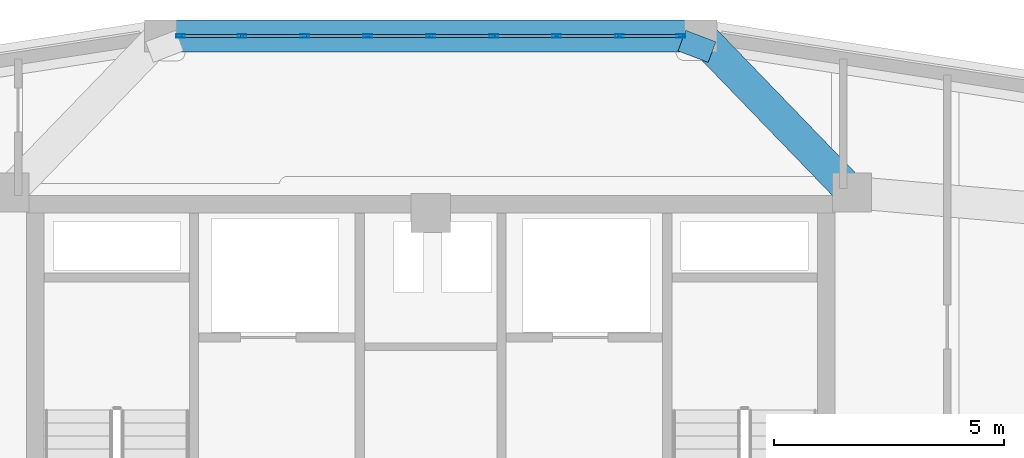
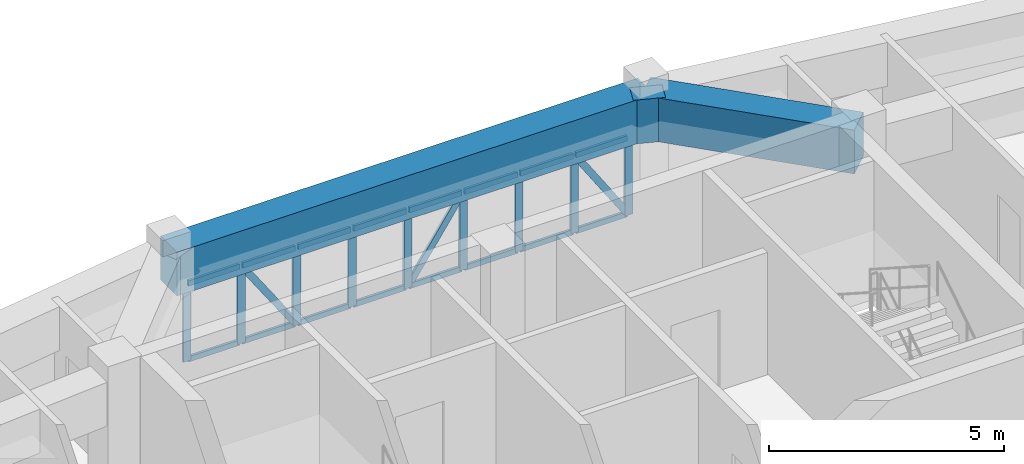
# One storey, part 9 of 14: 28 members, 3 beams, 1 element without a shape of its own.
"""IFC4 building model written with IfcOpenShell, lengths in metres."""

import ifcopenshell
import ifcopenshell.guid

model = None  # the IFC model being written
_history = None  # IfcOwnerHistory: only IFC2X3 demands one
_inside = {}  # id of a spatial element -> (the spatial element, [elements in it])
_under = {}  # id of a project, library or spatial element -> (it, [spatial elements below it])
_declared = {}  # id of a project -> (the project, [libraries it declares])
_typed = {}  # id of a type object -> (the type object, [elements of that type])
_made_of = {}  # id of a material, layer set ... -> (it, [elements and type objects made of it])


def new_model(schema):
    """Start an empty IFC model of exactly this schema.

    Asked for "IFC4X3", IfcOpenShell would pick the latest addendum, in which some entities
    have other attributes; the version numbers below select the first issue.
    IFC2X3 requires an IfcOwnerHistory on every rooted entity: one is made here for all.
    """
    global model, _history
    if schema == "IFC4X3":
        model = ifcopenshell.file(schema_version=(4, 3, 0, 0))
    else:
        model = ifcopenshell.file(schema=schema)
    _inside.clear()
    _under.clear()
    _declared.clear()
    _typed.clear()
    _made_of.clear()
    _history = None
    if model.schema == "IFC2X3":
        org = make("IfcOrganization", Name="unknown")
        user = make(
            "IfcPersonAndOrganization",
            ThePerson=make("IfcPerson", FamilyName="unknown"),
            TheOrganization=org,
        )
        app = make(
            "IfcApplication",
            ApplicationDeveloper=org,
            Version="unknown",
            ApplicationFullName="unknown",
            ApplicationIdentifier="unknown",
        )
        _history = make(
            "IfcOwnerHistory",
            OwningUser=user,
            OwningApplication=app,
            ChangeAction="ADDED",
            CreationDate=0,
        )
    return model


def make(cls, **values):
    """One entity of the class cls with the attributes given. An attribute that is None is left unset."""
    return model.create_entity(
        cls, **{name: value for name, value in values.items() if value is not None}
    )


def rooted(cls, **values):
    """An entity with a GlobalId (a new one), such as an element, a storey or a relation."""
    return make(cls, GlobalId=ifcopenshell.guid.new(), OwnerHistory=_history, **values)


def si_unit(unit_type, name, prefix=None):
    """IfcSIUnit, for example si_unit("LENGTHUNIT", "METRE", prefix="MILLI")."""
    return make("IfcSIUnit", UnitType=unit_type, Prefix=prefix, Name=name)


def derived_unit(unit_type, elements):
    """IfcDerivedUnit: a product of units, each with its exponent."""
    return make(
        "IfcDerivedUnit",
        Elements=[
            make("IfcDerivedUnitElement", Unit=unit, Exponent=power)
            for unit, power in elements
        ],
        UnitType=unit_type,
    )


def assignment(units):
    """IfcUnitAssignment: the units of a project."""
    return None if units is None else make("IfcUnitAssignment", Units=units)


def point(xyz):
    """IfcCartesianPoint."""
    return None if xyz is None else make("IfcCartesianPoint", Coordinates=xyz)


def direction(xyz):
    """IfcDirection."""
    return None if xyz is None else make("IfcDirection", DirectionRatios=xyz)


def frame(location, z_axis=None, x_axis=None):
    """IfcAxis2Placement3D, a coordinate frame: its origin and axes. An axis left out is left unset."""
    return make(
        "IfcAxis2Placement3D",
        Location=point(location),
        Axis=direction(z_axis),
        RefDirection=direction(x_axis),
    )


def frame_2d(location, x_axis=None):
    """IfcAxis2Placement2D, a coordinate frame in the plane: its origin and x axis."""
    return make(
        "IfcAxis2Placement2D", Location=point(location), RefDirection=direction(x_axis)
    )


def origin():
    """The frame at (0, 0, 0) with its axes left unset."""
    return frame((0.0, 0.0, 0.0))


def origin_2d():
    """The frame at (0, 0) in the plane with its x axis left unset."""
    return frame_2d((0.0, 0.0))


def place(relative_to, where):
    """IfcLocalPlacement: puts the frame where relative to a parent placement (None: the world)."""
    return make(
        "IfcLocalPlacement", PlacementRelTo=relative_to, RelativePlacement=where
    )


def context(
    kind, dimensions, precision=None, world=None, true_north=None, identifier=None
):
    """IfcGeometricRepresentationContext, for example the 3D "Model" context."""
    return make(
        "IfcGeometricRepresentationContext",
        ContextIdentifier=identifier,
        ContextType=kind,
        CoordinateSpaceDimension=dimensions,
        Precision=precision,
        WorldCoordinateSystem=world,
        TrueNorth=true_north,
    )


def subcontext(parent, identifier, kind, view, scale=None):
    """IfcGeometricRepresentationSubContext, for example "Body" below "Model"."""
    return make(
        "IfcGeometricRepresentationSubContext",
        ContextIdentifier=identifier,
        ContextType=kind,
        ParentContext=parent,
        TargetScale=scale,
        TargetView=view,
    )


def project(units=None, contexts=None):
    """IfcProject with its units and contexts."""
    return rooted(
        "IfcProject",
        Name="project",
        RepresentationContexts=contexts,
        UnitsInContext=assignment(units),
    )


def spatial(cls, under=None, at=None, **own):
    """A site, building, storey or space (cls), placed at a placement, below another one or the project."""
    s = rooted(cls, ObjectPlacement=at, **own)
    if under is not None:
        _under.setdefault(under.id(), (under, []))[1].append(s)
    return s


def profile(cls, at=None, kind="AREA", **sizes):
    """A parametric profile (cls). Its sizes go by their IFC names, for example OverallWidth=200.0."""
    return make(cls, ProfileType=kind, Position=at, **sizes)


def rectangle(**sizes):
    """IfcRectangleProfileDef."""
    return profile("IfcRectangleProfileDef", **sizes)


def hollow_rectangle(**sizes):
    """IfcRectangleHollowProfileDef."""
    return profile("IfcRectangleHollowProfileDef", **sizes)


def extrude(swept, where, along, depth):
    """IfcExtrudedAreaSolid: the profile swept, set in the frame where, extruded along a direction by depth."""
    return make(
        "IfcExtrudedAreaSolid",
        SweptArea=swept,
        Position=where,
        ExtrudedDirection=direction(along),
        Depth=depth,
    )


def shape(context_of_items, identifier, shape_type, items):
    """IfcShapeRepresentation: the items that make up one representation, for example the "Body"."""
    return make(
        "IfcShapeRepresentation",
        ContextOfItems=context_of_items,
        RepresentationIdentifier=identifier,
        RepresentationType=shape_type,
        Items=items,
    )


def source(mapping_origin, context_of_items, identifier, shape_type, items):
    """IfcRepresentationMap: a shape defined once, which mapped items show again and again."""
    return make(
        "IfcRepresentationMap",
        MappingOrigin=mapping_origin,
        MappedRepresentation=shape(context_of_items, identifier, shape_type, items),
    )


def transform(
    local_origin,
    x_axis=None,
    y_axis=None,
    z_axis=None,
    scale=None,
    scale2=None,
    scale3=None,
    uniform=True,
):
    """IfcCartesianTransformationOperator3D, or its non-uniform kind. x_axis, y_axis, z_axis: its Axis1, 2, 3."""
    if uniform:
        return make(
            "IfcCartesianTransformationOperator3D",
            Axis1=direction(x_axis),
            Axis2=direction(y_axis),
            LocalOrigin=point(local_origin),
            Scale=scale,
            Axis3=direction(z_axis),
        )
    return make(
        "IfcCartesianTransformationOperator3DnonUniform",
        Axis1=direction(x_axis),
        Axis2=direction(y_axis),
        LocalOrigin=point(local_origin),
        Scale=scale,
        Axis3=direction(z_axis),
        Scale2=scale2,
        Scale3=scale3,
    )


def mapped(mapping_source, mapping_target):
    """IfcMappedItem: shows the shape of a source again, moved by a transform."""
    return make(
        "IfcMappedItem", MappingSource=mapping_source, MappingTarget=mapping_target
    )


def material(Name=None, Category=None):
    """IfcMaterial."""
    return make("IfcMaterial", Name=Name, Category=Category)


def layer(
    of_material, thickness, ventilated=None, Name=None, Category=None, Priority=None
):
    """IfcMaterialLayer: one layer of a wall or slab, of a material (None: an air gap)."""
    return make(
        "IfcMaterialLayer",
        Material=of_material,
        LayerThickness=thickness,
        IsVentilated=ventilated,
        Name=Name,
        Category=Category,
        Priority=Priority,
    )


def layer_set(layers, Name=None):
    """IfcMaterialLayerSet."""
    return make("IfcMaterialLayerSet", MaterialLayers=layers, LayerSetName=Name)


def material_profile(
    of_material, cross_section, Name=None, Category=None, Priority=None
):
    """IfcMaterialProfile: a cross section and its material."""
    return make(
        "IfcMaterialProfile",
        Name=Name,
        Material=of_material,
        Profile=cross_section,
        Priority=Priority,
        Category=Category,
    )


def profile_set(profiles, Name=None, composite=None):
    """IfcMaterialProfileSet."""
    return make(
        "IfcMaterialProfileSet",
        Name=Name,
        MaterialProfiles=profiles,
        CompositeProfile=composite,
    )


def made_of(thing, what):
    """Note that an element or type object is made of a material, layer set ...; save() writes the relation."""
    if what is not None:
        _made_of.setdefault(what.id(), (what, []))[1].append(thing)
    return thing


def type_object(cls, material=None, **own):
    """A type object (cls), such as IfcWallType, which elements share."""
    return made_of(rooted(cls, **own), material)


def element(
    cls,
    number,
    at=None,
    inside=None,
    cuts=None,
    type_object=None,
    material=None,
    context=None,
    identifier="Body",
    shape_type=None,
    held_by="IfcProductDefinitionShape",
    body=None,
    shapes=None,
    **own,
):
    """One element of the class cls, such as IfcWall. Its Tag is "e" and its number.

    at: its placement. inside: the storey or other place that contains it. cuts: it is an
    opening in that element (IfcRelVoidsElement). A single representation is given by context,
    identifier, shape_type and body (its items); several are given by shapes. held_by: the class
    of the entity that holds the representations. save() writes the other relations.
    """
    e = rooted(cls, Tag="e%d" % number, ObjectPlacement=at, **own)
    if body is not None:
        shapes = [shape(context, identifier, shape_type, body)]
    if shapes is not None:
        e.Representation = make(held_by, Representations=shapes)
    if inside is not None:
        _inside.setdefault(inside.id(), (inside, []))[1].append(e)
    if cuts is not None:
        rooted(
            "IfcRelVoidsElement", RelatingBuildingElement=cuts, RelatedOpeningElement=e
        )
    if type_object is not None:
        _typed.setdefault(type_object.id(), (type_object, []))[1].append(e)
    return made_of(e, material)


def aggregate(whole, parts):
    """IfcRelAggregates: a whole, such as a stair, and the parts it consists of."""
    return rooted("IfcRelAggregates", RelatingObject=whole, RelatedObjects=parts)


def save(model, path):
    """Write the relations noted so far, then the file.

    IfcRelAggregates (storeys below a building ...), IfcRelContainedInSpatialStructure (elements
    in a storey), IfcRelDefinesByType, IfcRelAssociatesMaterial and IfcRelDeclares: one each for
    every whole, place, type object, material and project.
    """
    for whole, parts in _under.values():
        aggregate(whole, parts)
    for where, things in _inside.values():
        rooted(
            "IfcRelContainedInSpatialStructure",
            RelatedElements=things,
            RelatingStructure=where,
        )
    for kind, things in _typed.values():
        rooted("IfcRelDefinesByType", RelatedObjects=things, RelatingType=kind)
    for what, things in _made_of.values():
        rooted("IfcRelAssociatesMaterial", RelatedObjects=things, RelatingMaterial=what)
    for by, libraries in _declared.values():
        rooted("IfcRelDeclares", RelatingContext=by, RelatedDefinitions=libraries)
    model.write(path)


model = new_model("IFC4")

# Units and contexts
model_context = context("Model", 3, precision=1e-05, world=origin(), true_north=direction((0.0, 1.0)))
body_context = subcontext(model_context, "Body", "Model", "MODEL_VIEW")
ifc_project = project(units=[si_unit("LENGTHUNIT", "METRE"), si_unit("AREAUNIT", "SQUARE_METRE"), si_unit("VOLUMEUNIT", "CUBIC_METRE"), si_unit("PLANEANGLEUNIT", "RADIAN"), si_unit("MASSUNIT", "GRAM", prefix="KILO"), derived_unit("THERMALTRANSMITTANCEUNIT", [(si_unit("POWERUNIT", "WATT"), 1), (si_unit("LENGTHUNIT", "METRE"), -2), (si_unit("THERMODYNAMICTEMPERATUREUNIT", "KELVIN"), -1)])], contexts=[model_context])

# Site, building, storey
site_placement = place(None, origin())
site = spatial("IfcSite", under=ifc_project, at=site_placement, CompositionType="ELEMENT")
building_placement = place(site_placement, origin())
building = spatial("IfcBuilding", under=site, at=building_placement, Name="Korsvarv Bourse and Concert Hall", CompositionType="ELEMENT")
storey_placement = place(building_placement, frame((0.0, 0.0, 271.800048828125)))
storey = spatial("IfcBuildingStorey", under=building, at=storey_placement, Name="L71", CompositionType="ELEMENT", Elevation=271.800048828125)

# Beams
ifc_material_1 = material(Name="Concrete C50/60", Category="concrete")
ifc_material_profile_1 = material_profile(ifc_material_1, rectangle(XDim=0.699951171875, YDim=1.139892578125, at=origin_2d()), Name="RC-BM 700x1140")
ifc_profile_set_1 = profile_set([ifc_material_profile_1], Name="Concrete C50/60")
beam_type = type_object("IfcBeamType", Name="BM-TR-114", PredefinedType="BEAM", material=ifc_profile_set_1)
shared_shape_1 = source(origin(), body_context, "Body", "SweptSolid", [
    extrude(rectangle(XDim=0.699951171875, YDim=1.139892578125, at=origin_2d()), origin(), (0.0, 0.0, 1.0), 11.73876953125),
])
beam_1_placement = place(storey_placement, frame((41.869384765625, 50.646728515625, 2.60986328125), z_axis=(-1.0, 0.0, 0.0), x_axis=(0.0, -1.0, 0.0)))
element("IfcBeam", 1, at=beam_1_placement, inside=storey, type_object=beam_type, Name="L71 beam B-TR5", PredefinedType="BEAM", context=body_context, shape_type="MappedRepresentation", body=[
    mapped(shared_shape_1, transform((0.0, 0.0, 0.0), scale=1.0)),
])
shared_shape_2 = source(origin(), body_context, "Body", "SweptSolid", [
    extrude(rectangle(XDim=0.699951171875, YDim=1.139892578125, at=origin_2d()), origin(), (0.0, 0.0, 1.0), 4.72216796875),
])
beam_2_placement = place(storey_placement, frame((41.869384765625, 50.646728515625, 2.60986328125), z_axis=(0.694695075658, -0.71930435273, 0.0), x_axis=(0.71930435273, 0.694695075658, 0.0)))
element("IfcBeam", 2, at=beam_2_placement, inside=storey, type_object=beam_type, Name="L71 beam B-TR5", PredefinedType="BEAM", context=body_context, shape_type="MappedRepresentation", body=[
    mapped(shared_shape_2, transform((0.0, 0.0, 0.0), scale=1.0)),
])
shared_shape_3 = source(origin(), body_context, "Body", "SweptSolid", [
    extrude(rectangle(XDim=0.699951171875, YDim=1.139892578125, at=origin_2d()), origin(), (0.0, 0.0, 1.0), 0.478271484375),
])
beam_3_placement = place(storey_placement, frame((41.869384765625, 50.646728515625, 2.60986328125), z_axis=(-0.355761837825, -0.934576650012, 0.0), x_axis=(0.934576650012, -0.355761837825, 0.0)))
element("IfcBeam", 3, at=beam_3_placement, inside=storey, type_object=beam_type, Name="L71 beam B-TR5", PredefinedType="BEAM", context=body_context, shape_type="MappedRepresentation", body=[
    mapped(shared_shape_3, transform((0.0, 0.0, 0.0), scale=1.0)),
])

# Curtain wall, members
ifc_material_2 = material(Name="Anodised aluminium and triple low-E glazing", Category="glass")
ifc_layer = layer(ifc_material_2, 0.199951171875)
ifc_layer_set = layer_set([ifc_layer], Name="Anodised aluminium and triple low-E glazing")
curtain_wall_type = type_object("IfcCurtainWallType", Name="CW-SYS-3", PredefinedType="NOTDEFINED", material=ifc_layer_set)
curtain_wall_placement = place(storey_placement, origin())
curtain_wall = element("IfcCurtainWall", 4, at=curtain_wall_placement, inside=storey, type_object=curtain_wall_type, Name="L71 CW3 curtain wall CW-L71-F03", PredefinedType="NOTDEFINED")
ifc_material_3 = material(Name="Extruded aluminium EN AW-6063 T66", Category="aluminium")
ifc_material_profile_2 = material_profile(ifc_material_3, hollow_rectangle(XDim=0.070068359375, YDim=0.18994140625, WallThickness=0.0048828125, at=origin_2d()), Name="ALU-M 70x190")
ifc_profile_set_2 = profile_set([ifc_material_profile_2], Name="Extruded aluminium EN AW-6063 T66")
member_type_1 = type_object("IfcMemberType", Name="CWM-190", PredefinedType="MULLION", material=ifc_profile_set_2)
shared_shape_4 = source(origin(), body_context, "Body", "SweptSolid", [
    extrude(hollow_rectangle(XDim=0.070068359375, YDim=0.18994140625, WallThickness=0.0048828125, at=origin_2d()), origin(), (0.0, 0.0, 1.0), 2.0400390625),
])
member_1_placement = place(storey_placement, frame((41.4345703125, 50.646728515625, 0.0), z_axis=(0.0, 0.0, 1.0), x_axis=(0.0, -1.0, 0.0)))
member_1 = element("IfcMember", 5, at=member_1_placement, type_object=member_type_1, Name="CW3 mullion 1", PredefinedType="MULLION", context=body_context, shape_type="MappedRepresentation", body=[
    mapped(shared_shape_4, transform((0.0, 0.0, 0.0), scale=1.0)),
])
member_2_placement = place(storey_placement, frame((40.10205078125, 50.646728515625, 0.0), z_axis=(0.0, 0.0, 1.0), x_axis=(0.0, -1.0, 0.0)))
member_2 = element("IfcMember", 6, at=member_2_placement, type_object=member_type_1, Name="CW3 mullion 2", PredefinedType="MULLION", context=body_context, shape_type="MappedRepresentation", body=[
    mapped(shared_shape_4, transform((0.0, 0.0, 0.0), scale=1.0)),
])
member_3_placement = place(storey_placement, frame((38.73486328125, 50.646728515625, 0.0), z_axis=(0.0, 0.0, 1.0), x_axis=(0.0, -1.0, 0.0)))
member_3 = element("IfcMember", 7, at=member_3_placement, type_object=member_type_1, Name="CW3 mullion 3", PredefinedType="MULLION", context=body_context, shape_type="MappedRepresentation", body=[
    mapped(shared_shape_4, transform((0.0, 0.0, 0.0), scale=1.0)),
])
member_4_placement = place(storey_placement, frame((37.367431640625, 50.646728515625, 0.0), z_axis=(0.0, 0.0, 1.0), x_axis=(0.0, -1.0, 0.0)))
member_4 = element("IfcMember", 8, at=member_4_placement, type_object=member_type_1, Name="CW3 mullion 4", PredefinedType="MULLION", context=body_context, shape_type="MappedRepresentation", body=[
    mapped(shared_shape_4, transform((0.0, 0.0, 0.0), scale=1.0)),
])
member_5_placement = place(storey_placement, frame((36.0, 50.646728515625, 0.0), z_axis=(0.0, 0.0, 1.0), x_axis=(0.0, -1.0, 0.0)))
member_5 = element("IfcMember", 9, at=member_5_placement, type_object=member_type_1, Name="CW3 mullion 5", PredefinedType="MULLION", context=body_context, shape_type="MappedRepresentation", body=[
    mapped(shared_shape_4, transform((0.0, 0.0, 0.0), scale=1.0)),
])
member_6_placement = place(storey_placement, frame((34.632568359375, 50.646728515625, 0.0), z_axis=(0.0, 0.0, 1.0), x_axis=(0.0, -1.0, 0.0)))
member_6 = element("IfcMember", 10, at=member_6_placement, type_object=member_type_1, Name="CW3 mullion 6", PredefinedType="MULLION", context=body_context, shape_type="MappedRepresentation", body=[
    mapped(shared_shape_4, transform((0.0, 0.0, 0.0), scale=1.0)),
])
member_7_placement = place(storey_placement, frame((33.26513671875, 50.646728515625, 0.0), z_axis=(0.0, 0.0, 1.0), x_axis=(0.0, -1.0, 0.0)))
member_7 = element("IfcMember", 11, at=member_7_placement, type_object=member_type_1, Name="CW3 mullion 7", PredefinedType="MULLION", context=body_context, shape_type="MappedRepresentation", body=[
    mapped(shared_shape_4, transform((0.0, 0.0, 0.0), scale=1.0)),
])
member_8_placement = place(storey_placement, frame((31.89794921875, 50.646728515625, 0.0), z_axis=(0.0, 0.0, 1.0), x_axis=(0.0, -1.0, 0.0)))
member_8 = element("IfcMember", 12, at=member_8_placement, type_object=member_type_1, Name="CW3 mullion 8", PredefinedType="MULLION", context=body_context, shape_type="MappedRepresentation", body=[
    mapped(shared_shape_4, transform((0.0, 0.0, 0.0), scale=1.0)),
])
member_9_placement = place(storey_placement, frame((30.5654296875, 50.646728515625, 0.0), z_axis=(0.0, 0.0, 1.0), x_axis=(0.0, -1.0, 0.0)))
member_9 = element("IfcMember", 13, at=member_9_placement, type_object=member_type_1, Name="CW3 mullion 9", PredefinedType="MULLION", context=body_context, shape_type="MappedRepresentation", body=[
    mapped(shared_shape_4, transform((0.0, 0.0, 0.0), scale=1.0)),
])
ifc_material_profile_3 = material_profile(ifc_material_3, hollow_rectangle(XDim=0.06494140625, YDim=0.139892578125, WallThickness=0.00390625, at=origin_2d()), Name="ALU-T 65x140")
ifc_profile_set_3 = profile_set([ifc_material_profile_3], Name="Extruded aluminium EN AW-6063 T66")
member_type_2 = type_object("IfcMemberType", Name="CWT-140", PredefinedType="USERDEFINED", material=ifc_profile_set_3)
shared_shape_5 = source(origin(), body_context, "Body", "SweptSolid", [
    extrude(hollow_rectangle(XDim=0.06494140625, YDim=0.139892578125, WallThickness=0.00390625, at=origin_2d()), origin(), (0.0, 0.0, 1.0), 1.26220703125),
])
member_10_placement = place(storey_placement, frame((41.3994140625, 50.646728515625, 0.032470703125), z_axis=(-1.0, 0.0, 0.0), x_axis=(0.0, -1.0, 0.0)))
member_10 = element("IfcMember", 14, at=member_10_placement, type_object=member_type_2, Name="CW3 transom 1.1", ObjectType="TRANSOM", PredefinedType="USERDEFINED", context=body_context, shape_type="MappedRepresentation", body=[
    mapped(shared_shape_5, transform((0.0, 0.0, 0.0), scale=1.0)),
])
member_11_placement = place(storey_placement, frame((41.3994140625, 50.646728515625, 2.007568359375), z_axis=(-1.0, 0.0, 0.0), x_axis=(0.0, -1.0, 0.0)))
member_11 = element("IfcMember", 15, at=member_11_placement, type_object=member_type_2, Name="CW3 transom 1.2", ObjectType="TRANSOM", PredefinedType="USERDEFINED", context=body_context, shape_type="MappedRepresentation", body=[
    mapped(shared_shape_5, transform((0.0, 0.0, 0.0), scale=1.0)),
])
member_12_placement = place(storey_placement, frame((31.86279296875, 50.646728515625, 0.032470703125), z_axis=(-1.0, 0.0, 0.0), x_axis=(0.0, -1.0, 0.0)))
member_12 = element("IfcMember", 16, at=member_12_placement, type_object=member_type_2, Name="CW3 transom 8.1", ObjectType="TRANSOM", PredefinedType="USERDEFINED", context=body_context, shape_type="MappedRepresentation", body=[
    mapped(shared_shape_5, transform((0.0, 0.0, 0.0), scale=1.0)),
])
member_13_placement = place(storey_placement, frame((31.86279296875, 50.646728515625, 2.007568359375), z_axis=(-1.0, 0.0, 0.0), x_axis=(0.0, -1.0, 0.0)))
member_13 = element("IfcMember", 17, at=member_13_placement, type_object=member_type_2, Name="CW3 transom 8.2", ObjectType="TRANSOM", PredefinedType="USERDEFINED", context=body_context, shape_type="MappedRepresentation", body=[
    mapped(shared_shape_5, transform((0.0, 0.0, 0.0), scale=1.0)),
])
ifc_material_profile_4 = material_profile(ifc_material_3, hollow_rectangle(XDim=0.06494140625, YDim=0.1650390625, WallThickness=0.0048828125, at=origin_2d()), Name="ALU-M 65x165")
ifc_profile_set_4 = profile_set([ifc_material_profile_4], Name="Extruded aluminium EN AW-6063 T66")
member_type_3 = type_object("IfcMemberType", Name="CWM-165", PredefinedType="MULLION", material=ifc_profile_set_4)
shared_shape_6 = source(origin(), body_context, "Body", "SweptSolid", [
    extrude(hollow_rectangle(XDim=0.06494140625, YDim=0.1650390625, WallThickness=0.0048828125, at=origin_2d()), origin(), (0.0, 0.0, 1.0), 2.289306640625),
])
member_14_placement = place(storey_placement, frame((41.3994140625, 50.646728515625, 0.06494140625), z_axis=(-0.551348732015, 0.0, 0.834274880184), x_axis=(0.0, -1.0, 0.0)))
member_14 = element("IfcMember", 18, at=member_14_placement, type_object=member_type_3, Name="CW3 diagonal mullion 1", PredefinedType="MULLION", context=body_context, shape_type="MappedRepresentation", body=[
    mapped(shared_shape_6, transform((0.0, 0.0, 0.0), scale=1.0)),
])
shared_shape_7 = source(origin(), body_context, "Body", "SweptSolid", [
    extrude(hollow_rectangle(XDim=0.06494140625, YDim=0.139892578125, WallThickness=0.00390625, at=origin_2d()), origin(), (0.0, 0.0, 1.0), 1.29736328125),
])
member_15_placement = place(storey_placement, frame((40.067138671875, 50.646728515625, 0.032470703125), z_axis=(-1.0, 0.0, 0.0), x_axis=(0.0, -1.0, 0.0)))
member_15 = element("IfcMember", 19, at=member_15_placement, type_object=member_type_2, Name="CW3 transom 2.1", ObjectType="TRANSOM", PredefinedType="USERDEFINED", context=body_context, shape_type="MappedRepresentation", body=[
    mapped(shared_shape_7, transform((0.0, 0.0, 0.0), scale=1.0)),
])
member_16_placement = place(storey_placement, frame((40.067138671875, 50.646728515625, 2.007568359375), z_axis=(-1.0, 0.0, 0.0), x_axis=(0.0, -1.0, 0.0)))
member_16 = element("IfcMember", 20, at=member_16_placement, type_object=member_type_2, Name="CW3 transom 2.2", ObjectType="TRANSOM", PredefinedType="USERDEFINED", context=body_context, shape_type="MappedRepresentation", body=[
    mapped(shared_shape_7, transform((0.0, 0.0, 0.0), scale=1.0)),
])
member_17_placement = place(storey_placement, frame((38.69970703125, 50.646728515625, 0.032470703125), z_axis=(-1.0, 0.0, 0.0), x_axis=(0.0, -1.0, 0.0)))
member_17 = element("IfcMember", 21, at=member_17_placement, type_object=member_type_2, Name="CW3 transom 3.1", ObjectType="TRANSOM", PredefinedType="USERDEFINED", context=body_context, shape_type="MappedRepresentation", body=[
    mapped(shared_shape_7, transform((0.0, 0.0, 0.0), scale=1.0)),
])
member_18_placement = place(storey_placement, frame((38.69970703125, 50.646728515625, 2.007568359375), z_axis=(-1.0, 0.0, 0.0), x_axis=(0.0, -1.0, 0.0)))
member_18 = element("IfcMember", 22, at=member_18_placement, type_object=member_type_2, Name="CW3 transom 3.2", ObjectType="TRANSOM", PredefinedType="USERDEFINED", context=body_context, shape_type="MappedRepresentation", body=[
    mapped(shared_shape_7, transform((0.0, 0.0, 0.0), scale=1.0)),
])
member_19_placement = place(storey_placement, frame((37.332275390625, 50.646728515625, 0.032470703125), z_axis=(-1.0, 0.0, 0.0), x_axis=(0.0, -1.0, 0.0)))
member_19 = element("IfcMember", 23, at=member_19_placement, type_object=member_type_2, Name="CW3 transom 4.1", ObjectType="TRANSOM", PredefinedType="USERDEFINED", context=body_context, shape_type="MappedRepresentation", body=[
    mapped(shared_shape_7, transform((0.0, 0.0, 0.0), scale=1.0)),
])
member_20_placement = place(storey_placement, frame((37.332275390625, 50.646728515625, 2.007568359375), z_axis=(-1.0, 0.0, 0.0), x_axis=(0.0, -1.0, 0.0)))
member_20 = element("IfcMember", 24, at=member_20_placement, type_object=member_type_2, Name="CW3 transom 4.2", ObjectType="TRANSOM", PredefinedType="USERDEFINED", context=body_context, shape_type="MappedRepresentation", body=[
    mapped(shared_shape_7, transform((0.0, 0.0, 0.0), scale=1.0)),
])
member_21_placement = place(storey_placement, frame((35.965087890625, 50.646728515625, 0.032470703125), z_axis=(-1.0, 0.0, 0.0), x_axis=(0.0, -1.0, 0.0)))
member_21 = element("IfcMember", 25, at=member_21_placement, type_object=member_type_2, Name="CW3 transom 5.1", ObjectType="TRANSOM", PredefinedType="USERDEFINED", context=body_context, shape_type="MappedRepresentation", body=[
    mapped(shared_shape_7, transform((0.0, 0.0, 0.0), scale=1.0)),
])
member_22_placement = place(storey_placement, frame((35.965087890625, 50.646728515625, 2.007568359375), z_axis=(-1.0, 0.0, 0.0), x_axis=(0.0, -1.0, 0.0)))
member_22 = element("IfcMember", 26, at=member_22_placement, type_object=member_type_2, Name="CW3 transom 5.2", ObjectType="TRANSOM", PredefinedType="USERDEFINED", context=body_context, shape_type="MappedRepresentation", body=[
    mapped(shared_shape_7, transform((0.0, 0.0, 0.0), scale=1.0)),
])
member_23_placement = place(storey_placement, frame((34.59765625, 50.646728515625, 0.032470703125), z_axis=(-1.0, 0.0, 0.0), x_axis=(0.0, -1.0, 0.0)))
member_23 = element("IfcMember", 27, at=member_23_placement, type_object=member_type_2, Name="CW3 transom 6.1", ObjectType="TRANSOM", PredefinedType="USERDEFINED", context=body_context, shape_type="MappedRepresentation", body=[
    mapped(shared_shape_7, transform((0.0, 0.0, 0.0), scale=1.0)),
])
member_24_placement = place(storey_placement, frame((34.59765625, 50.646728515625, 2.007568359375), z_axis=(-1.0, 0.0, 0.0), x_axis=(0.0, -1.0, 0.0)))
member_24 = element("IfcMember", 28, at=member_24_placement, type_object=member_type_2, Name="CW3 transom 6.2", ObjectType="TRANSOM", PredefinedType="USERDEFINED", context=body_context, shape_type="MappedRepresentation", body=[
    mapped(shared_shape_7, transform((0.0, 0.0, 0.0), scale=1.0)),
])
member_25_placement = place(storey_placement, frame((33.230224609375, 50.646728515625, 0.032470703125), z_axis=(-1.0, 0.0, 0.0), x_axis=(0.0, -1.0, 0.0)))
member_25 = element("IfcMember", 29, at=member_25_placement, type_object=member_type_2, Name="CW3 transom 7.1", ObjectType="TRANSOM", PredefinedType="USERDEFINED", context=body_context, shape_type="MappedRepresentation", body=[
    mapped(shared_shape_7, transform((0.0, 0.0, 0.0), scale=1.0)),
])
member_26_placement = place(storey_placement, frame((33.230224609375, 50.646728515625, 2.007568359375), z_axis=(-1.0, 0.0, 0.0), x_axis=(0.0, -1.0, 0.0)))
member_26 = element("IfcMember", 30, at=member_26_placement, type_object=member_type_2, Name="CW3 transom 7.2", ObjectType="TRANSOM", PredefinedType="USERDEFINED", context=body_context, shape_type="MappedRepresentation", body=[
    mapped(shared_shape_7, transform((0.0, 0.0, 0.0), scale=1.0)),
])
shared_shape_8 = source(origin(), body_context, "Body", "SweptSolid", [
    extrude(hollow_rectangle(XDim=0.06494140625, YDim=0.1650390625, WallThickness=0.0048828125, at=origin_2d()), origin(), (0.0, 0.0, 1.0), 2.308837890625),
])
member_27_placement = place(storey_placement, frame((36.034912109375, 50.646728515625, 0.06494140625), z_axis=(0.561902148478, 0.0, 0.827203708608), x_axis=(0.0, 1.0, 0.0)))
member_27 = element("IfcMember", 31, at=member_27_placement, type_object=member_type_3, Name="CW3 diagonal mullion 4", PredefinedType="MULLION", context=body_context, shape_type="MappedRepresentation", body=[
    mapped(shared_shape_8, transform((0.0, 0.0, 0.0), scale=1.0)),
])
member_28_placement = place(storey_placement, frame((33.230224609375, 50.646728515625, 0.06494140625), z_axis=(-0.561902148478, 0.0, 0.827203708608), x_axis=(0.0, -1.0, 0.0)))
member_28 = element("IfcMember", 32, at=member_28_placement, type_object=member_type_3, Name="CW3 diagonal mullion 7", PredefinedType="MULLION", context=body_context, shape_type="MappedRepresentation", body=[
    mapped(shared_shape_8, transform((0.0, 0.0, 0.0), scale=1.0)),
])
aggregate(curtain_wall, [member_1, member_2, member_3, member_4, member_5, member_6, member_7, member_8, member_9, member_10, member_11, member_14, member_15, member_16, member_17, member_18, member_19, member_20, member_27, member_21, member_22, member_23, member_24, member_25, member_26, member_28, member_12, member_13])

save(model, "model.ifc")
